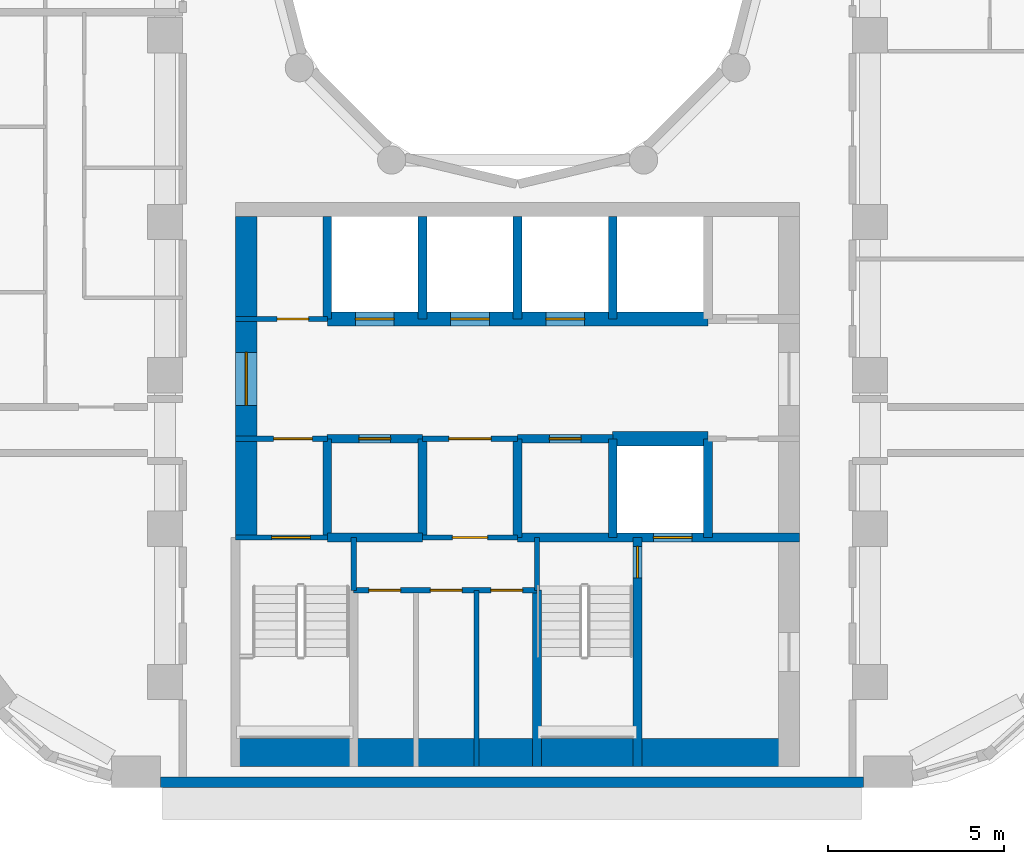
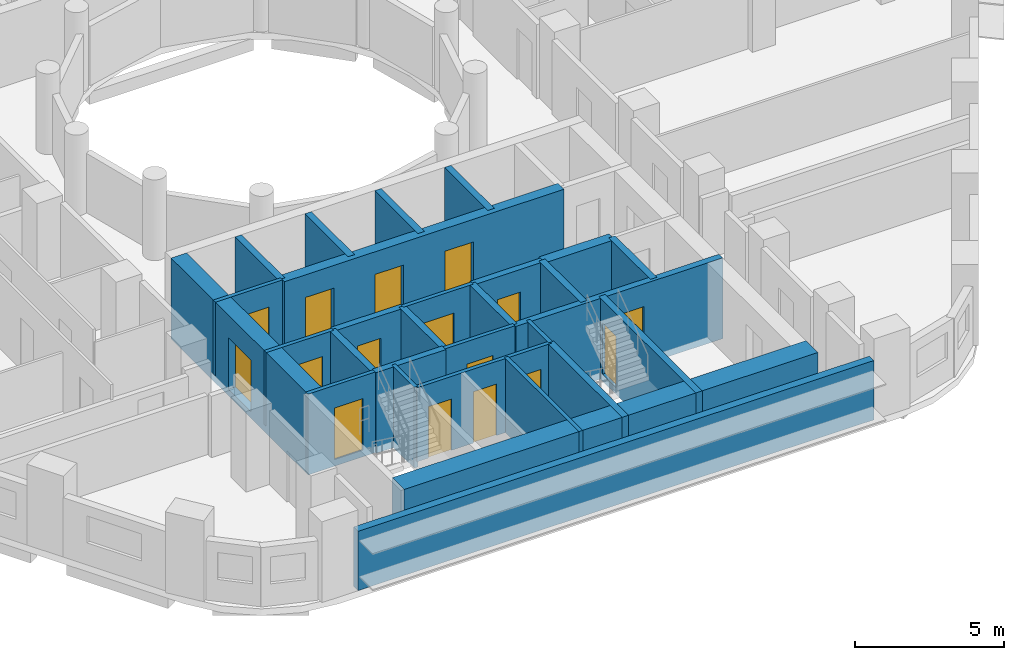
# One storey, part 3 of 12: 29 walls, 16 doors, 16 openings.
"""IFC4 building model written with IfcOpenShell, lengths in metres."""

from ifc_helpers import new_model, si_unit, direction, frame, frame_2d, origin, place, context, subcontext, project, spatial, rectangle, extrude, material, layer, layer_set, type_object, element, fill, save


model = new_model("IFC4")

# Units and contexts
model_context = context("Model", 3, precision=1e-05, world=origin(), true_north=direction((0.0, 1.0)))
body_context = subcontext(model_context, "Body", "Model", "MODEL_VIEW")
ifc_project = project(units=[si_unit("LENGTHUNIT", "METRE"), si_unit("AREAUNIT", "SQUARE_METRE"), si_unit("VOLUMEUNIT", "CUBIC_METRE"), si_unit("PLANEANGLEUNIT", "RADIAN"), si_unit("MASSUNIT", "GRAM", prefix="KILO")], contexts=[model_context])

# Site, building, storey
site_placement = place(None, origin())
site = spatial("IfcSite", under=ifc_project, at=site_placement, CompositionType="ELEMENT")
building_placement = place(site_placement, origin())
building = spatial("IfcBuilding", under=site, at=building_placement, Name="Nakaniwa Court", CompositionType="ELEMENT")
storey_placement = place(building_placement, frame((0.0, 0.0, 104.10009765625)))
storey = spatial("IfcBuildingStorey", under=building, at=storey_placement, Name="L27", CompositionType="ELEMENT", Elevation=104.10009765625)

# Wall
ifc_material_1 = material(Name="Charcoal ceramic cladding")
ifc_layer_1 = layer(ifc_material_1, 0.02, Name="Ceramic cladding")
ifc_material_2 = material(Name="Ventilated air cavity")
ifc_layer_2 = layer(ifc_material_2, 0.04, ventilated=True, Name="Ventilated cavity")
ifc_material_3 = material(Name="Mineral wool insulation")
ifc_layer_3 = layer(ifc_material_3, 0.1, Name="Insulation")
ifc_material_4 = material(Name="Cement bonded sheathing board")
ifc_layer_4 = layer(ifc_material_4, 0.012, Name="Sheathing")
ifc_material_5 = material(Name="Cold-formed galvanised stud frame with mineral wool infill")
ifc_layer_5 = layer(ifc_material_5, 0.1, Name="Stud frame")
ifc_material_6 = material(Name="Fire-rated gypsum plasterboard lining")
ifc_layer_6 = layer(ifc_material_6, 0.028, Name="Lining")
ifc_layer_set_1 = layer_set([ifc_layer_1, ifc_layer_2, ifc_layer_3, ifc_layer_4, ifc_layer_5, ifc_layer_6], Name="Charcoal ceramic faced external wall system")
wall_type_1 = type_object("IfcWallType", Name="Black ceramic faced external wall 300", PredefinedType="SOLIDWALL", material=ifc_layer_set_1)
wall_1_placement = place(storey_placement, frame((69.871337890625, 56.14990234375, 0.0), z_axis=(0.0, 0.0, 1.0), x_axis=(1.0, 0.0, 0.0)))
element("IfcWall", 1, at=wall_1_placement, inside=storey, type_object=wall_type_1, Name="L27 external wall 26", PredefinedType="SOLIDWALL", context=body_context, shape_type="SweptSolid", body=[
    extrude(rectangle(XDim=19.939697265625, YDim=0.300048828125, at=frame_2d((9.9697265625, 0.0))), origin(), (0.0, 0.0, 1.0), 2.4248046875),
])

# Wall, opening, door
ifc_material_7 = material(Name="Blockwork partition", Category="masonry")
ifc_layer_7 = layer(ifc_material_7, 0.14990234375)
ifc_layer_set_2 = layer_set([ifc_layer_7], Name="Blockwork partition")
wall_type_2 = type_object("IfcWallType", Name="Blockwork partition 150", PredefinedType="PARTITIONING", material=ifc_layer_set_2)
wall_2_placement = place(storey_placement, frame((72.0, 69.300048828125, 0.0), z_axis=(0.0, 0.0, 1.0), x_axis=(1.0, 0.0, 0.0)))
wall_2 = element("IfcWall", 2, at=wall_2_placement, inside=storey, type_object=wall_type_2, Name="Partition PW-037", PredefinedType="PARTITIONING", context=body_context, shape_type="SweptSolid", body=[
    extrude(rectangle(XDim=2.60009765625, YDim=0.14990234375, at=frame_2d((1.300048828125, 0.0))), origin(), (0.0, 0.0, 1.0), 3.02490234375),
])
opening_1_placement = place(wall_2_placement, frame((1.175048828125, 0.0, 0.0)))
opening_1 = element("IfcOpeningElement", 3, at=opening_1_placement, cuts=wall_2, Name="Opening D-05-09", PredefinedType="OPENING", context=body_context, shape_type="SweptSolid", body=[
    extrude(rectangle(XDim=0.89990234375, YDim=2.10009765625, at=frame_2d((0.449951171875, 1.050048828125))), frame((0.0, 0.0849609375, 0.0), z_axis=(0.0, -1.0, 0.0), x_axis=(1.0, 0.0, 0.0)), (0.0, 0.0, 1.0), 0.169921875),
])
ifc_material_8 = material(Name="Fire rated steel door set", Category="steel")
door_type_1 = type_object("IfcDoorType", Name="Service room door 900", OperationType="NOTDEFINED", PredefinedType="DOOR", material=ifc_material_8)
door_1_placement = place(opening_1_placement, origin())
door_1 = element("IfcDoor", 4, at=door_1_placement, inside=storey, type_object=door_type_1, Name="Door D-05-09 L27-014", OperationType="SINGLE_SWING_LEFT", OverallHeight=2.10009765625, OverallWidth=0.89990234375, PredefinedType="DOOR", context=body_context, shape_type="SweptSolid", body=[
    extrude(rectangle(XDim=0.89990234375, YDim=2.10009765625, at=frame_2d((0.449951171875, 1.050048828125))), frame((0.0, 0.02490234375, 0.0), z_axis=(0.0, -1.0, 0.0), x_axis=(1.0, 0.0, 0.0)), (0.0, 0.0, 1.0), 0.050048828125),
])
fill(opening_1, door_1)

wall_3_placement = place(storey_placement, frame((74.60302734375, 65.89990234375, 0.0), z_axis=(0.0, 0.0, 1.0), x_axis=(-1.0, 0.0, 0.0)))
wall_3 = element("IfcWall", 5, at=wall_3_placement, inside=storey, type_object=wall_type_2, Name="Partition PW-050", PredefinedType="PARTITIONING", context=body_context, shape_type="SweptSolid", body=[
    extrude(rectangle(XDim=2.60302734375, YDim=0.14990234375, at=frame_2d((1.301513671875, 0.0))), origin(), (0.0, 0.0, 1.0), 3.02490234375),
])
opening_2_placement = place(wall_3_placement, frame((0.427978515625, 0.0, 0.0)))
opening_2 = element("IfcOpeningElement", 6, at=opening_2_placement, cuts=wall_3, Name="Opening D-08-02", PredefinedType="OPENING", context=body_context, shape_type="SweptSolid", body=[
    extrude(rectangle(XDim=1.10009765625, YDim=2.10009765625, at=frame_2d((0.550048828125, 1.050048828125))), frame((0.0, 0.0849609375, 0.0), z_axis=(0.0, -1.0, 0.0), x_axis=(1.0, 0.0, 0.0)), (0.0, 0.0, 1.0), 0.169921875),
])
door_type_2 = type_object("IfcDoorType", Name="Stair lobby door 1100", OperationType="NOTDEFINED", PredefinedType="DOOR", material=ifc_material_8)
door_2_placement = place(opening_2_placement, origin())
door_2 = element("IfcDoor", 7, at=door_2_placement, inside=storey, type_object=door_type_2, Name="Door D-08-02 L27-016", OperationType="SINGLE_SWING_LEFT", OverallHeight=2.10009765625, OverallWidth=1.10009765625, PredefinedType="DOOR", context=body_context, shape_type="SweptSolid", body=[
    extrude(rectangle(XDim=1.10009765625, YDim=2.10009765625, at=frame_2d((0.550048828125, 1.050048828125))), frame((0.0, 0.02490234375, 0.0), z_axis=(0.0, -1.0, 0.0), x_axis=(1.0, 0.0, 0.0)), (0.0, 0.0, 1.0), 0.050048828125),
])
fill(opening_2, door_2)

wall_4_placement = place(storey_placement, frame((80.0029296875, 65.89990234375, 0.0), z_axis=(0.0, 0.0, 1.0), x_axis=(-1.0, 0.0, 0.0)))
wall_4 = element("IfcWall", 8, at=wall_4_placement, inside=storey, type_object=wall_type_2, Name="Partition PW-051", PredefinedType="PARTITIONING", context=body_context, shape_type="SweptSolid", body=[
    extrude(rectangle(XDim=2.705810546875, YDim=0.14990234375, at=frame_2d((1.35302734375, 0.0))), origin(), (0.0, 0.0, 1.0), 3.02490234375),
])
opening_3_placement = place(wall_4_placement, frame((0.7529296875, 0.0, 0.0)))
opening_3 = element("IfcOpeningElement", 9, at=opening_3_placement, cuts=wall_4, Name="Opening D-06-02", PredefinedType="OPENING", context=body_context, shape_type="SweptSolid", body=[
    extrude(rectangle(XDim=1.199951171875, YDim=2.10009765625, at=frame_2d((0.60009765625, 1.050048828125))), frame((0.0, 0.0849609375, 0.0), z_axis=(0.0, -1.0, 0.0), x_axis=(1.0, 0.0, 0.0)), (0.0, 0.0, 1.0), 0.169921875),
])
ifc_material_9 = material(Name="Fire rated steel double door set", Category="steel")
door_type_3 = type_object("IfcDoorType", Name="Service passage double door 1200", OperationType="NOTDEFINED", PredefinedType="DOOR", material=ifc_material_9)
door_3_placement = place(opening_3_placement, origin())
door_3 = element("IfcDoor", 10, at=door_3_placement, inside=storey, type_object=door_type_3, Name="Door D-06-02 L27-018", OperationType="DOUBLE_DOOR_SINGLE_SWING", OverallHeight=2.10009765625, OverallWidth=1.199951171875, PredefinedType="DOOR", context=body_context, shape_type="SweptSolid", body=[
    extrude(rectangle(XDim=1.199951171875, YDim=2.10009765625, at=frame_2d((0.60009765625, 1.050048828125))), frame((0.0, 0.02490234375, 0.0), z_axis=(0.0, -1.0, 0.0), x_axis=(1.0, 0.0, 0.0)), (0.0, 0.0, 1.0), 0.050048828125),
])
fill(opening_3, door_3)

wall_5_placement = place(storey_placement, frame((80.0, 63.10009765625, 0.0), z_axis=(0.0, 0.0, 1.0), x_axis=(-1.0, 0.0, 0.0)))
wall_5 = element("IfcWall", 11, at=wall_5_placement, inside=storey, type_object=wall_type_2, Name="Partition PW-059", PredefinedType="PARTITIONING", context=body_context, shape_type="SweptSolid", body=[
    extrude(rectangle(XDim=2.699951171875, YDim=0.14990234375, at=frame_2d((1.35009765625, 0.0))), origin(), (0.0, 0.0, 1.0), 3.02490234375),
])
opening_4_placement = place(wall_5_placement, frame((0.85009765625, 0.0, 0.0)))
opening_4 = element("IfcOpeningElement", 12, at=opening_4_placement, cuts=wall_5, Name="Opening D-23-02", PredefinedType="OPENING", context=body_context, shape_type="SweptSolid", body=[
    extrude(rectangle(XDim=1.0, YDim=2.10009765625, at=frame_2d((0.5, 1.050048828125))), frame((0.0, 0.0849609375, 0.0), z_axis=(0.0, -1.0, 0.0), x_axis=(1.0, 0.0, 0.0)), (0.0, 0.0, 1.0), 0.169921875),
])
door_type_4 = type_object("IfcDoorType", Name="Service room door 1000", OperationType="NOTDEFINED", PredefinedType="DOOR", material=ifc_material_8)
door_4_placement = place(opening_4_placement, origin())
door_4 = element("IfcDoor", 13, at=door_4_placement, inside=storey, type_object=door_type_4, Name="Door D-23-02 L27-021", OperationType="SINGLE_SWING_RIGHT", OverallHeight=2.10009765625, OverallWidth=1.0, PredefinedType="DOOR", context=body_context, shape_type="SweptSolid", body=[
    extrude(rectangle(XDim=1.0, YDim=2.10009765625, at=frame_2d((0.5, 1.050048828125))), frame((0.0, 0.02490234375, 0.0), z_axis=(0.0, -1.0, 0.0), x_axis=(1.0, 0.0, 0.0)), (0.0, 0.0, 1.0), 0.050048828125),
])
fill(opening_4, door_4)

# Wall, openings, doors
wall_6_placement = place(storey_placement, frame((80.550048828125, 61.60009765625, 0.0), z_axis=(0.0, 0.0, 1.0), x_axis=(-1.0, 0.0, 0.0)))
wall_6 = element("IfcWall", 14, at=wall_6_placement, inside=storey, type_object=wall_type_2, Name="Partition PW-066", PredefinedType="PARTITIONING", context=body_context, shape_type="SweptSolid", body=[
    extrude(rectangle(XDim=5.199951171875, YDim=0.14990234375, at=frame_2d((2.60009765625, 0.0))), origin(), (0.0, 0.0, 1.0), 3.02490234375),
])
opening_5_placement = place(wall_6_placement, frame((3.865966796875, 0.0, 0.0)))
opening_5 = element("IfcOpeningElement", 15, at=opening_5_placement, cuts=wall_6, Name="Opening D-05-14", PredefinedType="OPENING", context=body_context, shape_type="SweptSolid", body=[
    extrude(rectangle(XDim=0.89990234375, YDim=2.10009765625, at=frame_2d((0.449951171875, 1.050048828125))), frame((0.0, 0.0849609375, 0.0), z_axis=(0.0, -1.0, 0.0), x_axis=(1.0, 0.0, 0.0)), (0.0, 0.0, 1.0), 0.169921875),
])
opening_6_placement = place(wall_6_placement, frame((2.1240234375, 0.0, 0.0)))
opening_6 = element("IfcOpeningElement", 16, at=opening_6_placement, cuts=wall_6, Name="Opening D-05-15", PredefinedType="OPENING", context=body_context, shape_type="SweptSolid", body=[
    extrude(rectangle(XDim=0.89990234375, YDim=2.10009765625, at=frame_2d((0.449951171875, 1.050048828125))), frame((0.0, 0.0849609375, 0.0), z_axis=(0.0, -1.0, 0.0), x_axis=(1.0, 0.0, 0.0)), (0.0, 0.0, 1.0), 0.169921875),
])
opening_7_placement = place(wall_6_placement, frame((0.407958984375, 0.0, 0.0)))
opening_7 = element("IfcOpeningElement", 17, at=opening_7_placement, cuts=wall_6, Name="Opening D-05-16", PredefinedType="OPENING", context=body_context, shape_type="SweptSolid", body=[
    extrude(rectangle(XDim=0.89990234375, YDim=2.10009765625, at=frame_2d((0.449951171875, 1.050048828125))), frame((0.0, 0.0849609375, 0.0), z_axis=(0.0, -1.0, 0.0), x_axis=(1.0, 0.0, 0.0)), (0.0, 0.0, 1.0), 0.169921875),
])
door_5_placement = place(opening_5_placement, origin())
door_5 = element("IfcDoor", 18, at=door_5_placement, inside=storey, type_object=door_type_1, Name="Door D-05-14 L27-022", OperationType="SINGLE_SWING_LEFT", OverallHeight=2.10009765625, OverallWidth=0.89990234375, PredefinedType="DOOR", context=body_context, shape_type="SweptSolid", body=[
    extrude(rectangle(XDim=0.89990234375, YDim=2.10009765625, at=frame_2d((0.449951171875, 1.050048828125))), frame((0.0, 0.02490234375, 0.0), z_axis=(0.0, -1.0, 0.0), x_axis=(1.0, 0.0, 0.0)), (0.0, 0.0, 1.0), 0.050048828125),
])
fill(opening_5, door_5)
door_6_placement = place(opening_6_placement, origin())
door_6 = element("IfcDoor", 19, at=door_6_placement, inside=storey, type_object=door_type_1, Name="Door D-05-15 L27-023", OperationType="SINGLE_SWING_RIGHT", OverallHeight=2.10009765625, OverallWidth=0.89990234375, PredefinedType="DOOR", context=body_context, shape_type="SweptSolid", body=[
    extrude(rectangle(XDim=0.89990234375, YDim=2.10009765625, at=frame_2d((0.449951171875, 1.050048828125))), frame((0.0, 0.02490234375, 0.0), z_axis=(0.0, -1.0, 0.0), x_axis=(1.0, 0.0, 0.0)), (0.0, 0.0, 1.0), 0.050048828125),
])
fill(opening_6, door_6)
door_7_placement = place(opening_7_placement, origin())
door_7 = element("IfcDoor", 20, at=door_7_placement, inside=storey, type_object=door_type_1, Name="Door D-05-16 L27-024", OperationType="SINGLE_SWING_LEFT", OverallHeight=2.10009765625, OverallWidth=0.89990234375, PredefinedType="DOOR", context=body_context, shape_type="SweptSolid", body=[
    extrude(rectangle(XDim=0.89990234375, YDim=2.10009765625, at=frame_2d((0.449951171875, 1.050048828125))), frame((0.0, 0.02490234375, 0.0), z_axis=(0.0, -1.0, 0.0), x_axis=(1.0, 0.0, 0.0)), (0.0, 0.0, 1.0), 0.050048828125),
])
fill(opening_7, door_7)

# Wall
wall_7_placement = place(storey_placement, frame((78.833984375, 56.60009765625, 0.0), z_axis=(0.0, 0.0, 1.0), x_axis=(0.0, 1.0, 0.0)))
element("IfcWall", 21, at=wall_7_placement, inside=storey, type_object=wall_type_2, Name="Partition PW-068", PredefinedType="PARTITIONING", context=body_context, shape_type="SweptSolid", body=[
    extrude(rectangle(XDim=5.0, YDim=0.14990234375, at=frame_2d((2.5, 0.0))), origin(), (0.0, 0.0, 1.0), 3.02490234375),
])

# Wall, opening, door
ifc_material_10 = material(Name="Concrete C80/100", Category="concrete")
ifc_layer_8 = layer(ifc_material_10, 0.60009765625)
ifc_layer_set_3 = layer_set([ifc_layer_8], Name="Concrete C80/100")
wall_type_3 = type_object("IfcWallType", Name="Concrete core side wall 600 C80", PredefinedType="SHEAR", material=ifc_layer_set_3)
wall_8_placement = place(storey_placement, frame((72.300048828125, 63.10009765625, -0.275146484375), z_axis=(0.0, 0.0, 1.0), x_axis=(0.0, 1.0, 0.0)))
wall_8 = element("IfcWall", 22, at=wall_8_placement, inside=storey, type_object=wall_type_3, Name="Core wall SW-38", PredefinedType="SHEAR", context=body_context, shape_type="SweptSolid", body=[
    extrude(rectangle(XDim=9.099853515625, YDim=0.60009765625, at=frame_2d((4.5498046875, 0.0))), origin(), (0.0, 0.0, 1.0), 3.300048828125),
])
opening_8_placement = place(wall_8_placement, frame((3.75, 0.0, 0.27490234375)))
opening_8 = element("IfcOpeningElement", 23, at=opening_8_placement, cuts=wall_8, Name="Opening D-07-04", PredefinedType="OPENING", context=body_context, shape_type="SweptSolid", body=[
    extrude(rectangle(XDim=1.5, YDim=2.10009765625, at=frame_2d((0.75, 1.050048828125))), frame((0.0, 0.31005859375, 0.0), z_axis=(0.0, -1.0, 0.0), x_axis=(1.0, 0.0, 0.0)), (0.0, 0.0, 1.0), 0.6201171875),
])
ifc_material_11 = material(Name="Glazed fire rated steel double door set", Category="steel")
door_type_5 = type_object("IfcDoorType", Name="Lobby double door 1500", OperationType="NOTDEFINED", PredefinedType="DOOR", material=ifc_material_11)
door_8_placement = place(opening_8_placement, origin())
door_8 = element("IfcDoor", 24, at=door_8_placement, inside=storey, type_object=door_type_5, Name="Door D-07-04 L27-055", OperationType="DOUBLE_DOOR_SINGLE_SWING", OverallHeight=2.10009765625, OverallWidth=1.5, PredefinedType="DOOR", context=body_context, shape_type="SweptSolid", body=[
    extrude(rectangle(XDim=1.5, YDim=2.10009765625, at=frame_2d((0.75, 1.050048828125))), frame((0.0, 0.02490234375, 0.0), z_axis=(0.0, -1.0, 0.0), x_axis=(1.0, 0.0, 0.0)), (0.0, 0.0, 1.0), 0.050048828125),
])
fill(opening_8, door_8)

# Wall, openings, doors
ifc_layer_9 = layer(ifc_material_10, 0.39990234375)
ifc_layer_set_4 = layer_set([ifc_layer_9], Name="Concrete C80/100")
wall_type_4 = type_object("IfcWallType", Name="Concrete core spine wall 400 C80", PredefinedType="SHEAR", material=ifc_layer_set_4)
wall_9_placement = place(storey_placement, frame((74.60009765625, 69.300048828125, -0.275146484375), z_axis=(0.0, 0.0, 1.0), x_axis=(1.0, 0.0, 0.0)))
wall_9 = element("IfcWall", 25, at=wall_9_placement, inside=storey, type_object=wall_type_4, Name="Core wall SW-41", PredefinedType="SHEAR", context=body_context, shape_type="SweptSolid", body=[
    extrude(rectangle(XDim=10.7998046875, YDim=0.39990234375, at=frame_2d((5.39990234375, 0.0))), origin(), (0.0, 0.0, 1.0), 3.300048828125),
])
opening_9_placement = place(wall_9_placement, frame((0.800048828125, 0.0, 0.27490234375)))
opening_9 = element("IfcOpeningElement", 26, at=opening_9_placement, cuts=wall_9, Name="Opening LD05", PredefinedType="OPENING", context=body_context, shape_type="SweptSolid", body=[
    extrude(rectangle(XDim=1.10009765625, YDim=2.10009765625, at=frame_2d((0.550048828125, 1.050048828125))), frame((0.0, 0.2099609375, 0.0), z_axis=(0.0, -1.0, 0.0), x_axis=(1.0, 0.0, 0.0)), (0.0, 0.0, 1.0), 0.419921875),
])
opening_10_placement = place(wall_9_placement, frame((3.5, 0.0, 0.27490234375)))
opening_10 = element("IfcOpeningElement", 27, at=opening_10_placement, cuts=wall_9, Name="Opening LD06", PredefinedType="OPENING", context=body_context, shape_type="SweptSolid", body=[
    extrude(rectangle(XDim=1.10009765625, YDim=2.10009765625, at=frame_2d((0.550048828125, 1.050048828125))), frame((0.0, 0.2099609375, 0.0), z_axis=(0.0, -1.0, 0.0), x_axis=(1.0, 0.0, 0.0)), (0.0, 0.0, 1.0), 0.419921875),
])
opening_11_placement = place(wall_9_placement, frame((6.199951171875, 0.0, 0.27490234375)))
opening_11 = element("IfcOpeningElement", 28, at=opening_11_placement, cuts=wall_9, Name="Opening LD07", PredefinedType="OPENING", context=body_context, shape_type="SweptSolid", body=[
    extrude(rectangle(XDim=1.10009765625, YDim=2.10009765625, at=frame_2d((0.550048828125, 1.050048828125))), frame((0.0, 0.2099609375, 0.0), z_axis=(0.0, -1.0, 0.0), x_axis=(1.0, 0.0, 0.0)), (0.0, 0.0, 1.0), 0.419921875),
])
ifc_material_12 = material(Name="Stainless steel sliding lift landing door", Category="steel")
door_type_6 = type_object("IfcDoorType", Name="Lift landing door 1100", OperationType="NOTDEFINED", PredefinedType="DOOR", material=ifc_material_12)
door_9_placement = place(opening_9_placement, origin())
door_9 = element("IfcDoor", 29, at=door_9_placement, inside=storey, type_object=door_type_6, Name="Lift landing door LD05 L27-005", OperationType="SLIDING_TO_LEFT", OverallHeight=2.10009765625, OverallWidth=1.10009765625, PredefinedType="DOOR", context=body_context, shape_type="SweptSolid", body=[
    extrude(rectangle(XDim=1.10009765625, YDim=2.10009765625, at=frame_2d((0.550048828125, 1.050048828125))), frame((0.0, 0.02490234375, 0.0), z_axis=(0.0, -1.0, 0.0), x_axis=(1.0, 0.0, 0.0)), (0.0, 0.0, 1.0), 0.050048828125),
])
fill(opening_9, door_9)
door_10_placement = place(opening_10_placement, origin())
door_10 = element("IfcDoor", 30, at=door_10_placement, inside=storey, type_object=door_type_6, Name="Lift landing door LD06 L27-006", OperationType="SLIDING_TO_LEFT", OverallHeight=2.10009765625, OverallWidth=1.10009765625, PredefinedType="DOOR", context=body_context, shape_type="SweptSolid", body=[
    extrude(rectangle(XDim=1.10009765625, YDim=2.10009765625, at=frame_2d((0.550048828125, 1.050048828125))), frame((0.0, 0.02490234375, 0.0), z_axis=(0.0, -1.0, 0.0), x_axis=(1.0, 0.0, 0.0)), (0.0, 0.0, 1.0), 0.050048828125),
])
fill(opening_10, door_10)
door_11_placement = place(opening_11_placement, origin())
door_11 = element("IfcDoor", 31, at=door_11_placement, inside=storey, type_object=door_type_6, Name="Lift landing door LD07 L27-007", OperationType="SLIDING_TO_LEFT", OverallHeight=2.10009765625, OverallWidth=1.10009765625, PredefinedType="DOOR", context=body_context, shape_type="SweptSolid", body=[
    extrude(rectangle(XDim=1.10009765625, YDim=2.10009765625, at=frame_2d((0.550048828125, 1.050048828125))), frame((0.0, 0.02490234375, 0.0), z_axis=(0.0, -1.0, 0.0), x_axis=(1.0, 0.0, 0.0)), (0.0, 0.0, 1.0), 0.050048828125),
])
fill(opening_11, door_11)

# Wall
wall_10_placement = place(storey_placement, frame((82.697021484375, 65.89990234375, -0.275146484375), z_axis=(0.0, 0.0, 1.0), x_axis=(1.0, 0.0, 0.0)))
element("IfcWall", 32, at=wall_10_placement, inside=storey, type_object=wall_type_4, Name="Core wall SW-55", PredefinedType="SHEAR", context=body_context, shape_type="SweptSolid", body=[
    extrude(rectangle(XDim=2.7060546875, YDim=0.39990234375, at=frame_2d((1.35302734375, 0.0))), origin(), (0.0, 0.0, 1.0), 3.300048828125),
])

# Wall, opening, door
ifc_layer_10 = layer(ifc_material_10, 0.14990234375)
ifc_layer_set_5 = layer_set([ifc_layer_10], Name="Concrete C80/100")
wall_type_5 = type_object("IfcWallType", Name="Concrete core wall 150 C80", PredefinedType="SHEAR", material=ifc_layer_set_5)
wall_11_placement = place(storey_placement, frame((72.0, 63.10009765625, -0.275146484375), z_axis=(0.0, 0.0, 1.0), x_axis=(1.0, 0.0, 0.0)))
wall_11 = element("IfcWall", 33, at=wall_11_placement, inside=storey, type_object=wall_type_5, Name="Core wall SW-56", PredefinedType="SHEAR", context=body_context, shape_type="SweptSolid", body=[
    extrude(rectangle(XDim=2.60009765625, YDim=0.14990234375, at=frame_2d((1.300048828125, 0.0))), origin(), (0.0, 0.0, 1.0), 3.300048828125),
])
opening_12_placement = place(wall_11_placement, frame((1.02001953125, 0.0, 0.27490234375)))
opening_12 = element("IfcOpeningElement", 34, at=opening_12_placement, cuts=wall_11, Name="Opening D-09-02", PredefinedType="OPENING", context=body_context, shape_type="SweptSolid", body=[
    extrude(rectangle(XDim=1.10009765625, YDim=2.10009765625, at=frame_2d((0.550048828125, 1.050048828125))), frame((0.0, 0.0849609375, 0.0), z_axis=(0.0, -1.0, 0.0), x_axis=(1.0, 0.0, 0.0)), (0.0, 0.0, 1.0), 0.169921875),
])
door_type_7 = type_object("IfcDoorType", Name="Stair door 1100", OperationType="NOTDEFINED", PredefinedType="DOOR", material=ifc_material_8)
door_12_placement = place(opening_12_placement, origin())
door_12 = element("IfcDoor", 35, at=door_12_placement, inside=storey, type_object=door_type_7, Name="Door D-09-02 L27-025", OperationType="SINGLE_SWING_LEFT", OverallHeight=2.10009765625, OverallWidth=1.10009765625, PredefinedType="DOOR", context=body_context, shape_type="SweptSolid", body=[
    extrude(rectangle(XDim=1.10009765625, YDim=2.10009765625, at=frame_2d((0.550048828125, 1.050048828125))), frame((0.0, 0.02490234375, 0.0), z_axis=(0.0, -1.0, 0.0), x_axis=(1.0, 0.0, 0.0)), (0.0, 0.0, 1.0), 0.050048828125),
])
fill(opening_12, door_12)

# Walls
for number, where, z_axis, x_axis, name in (
    (36, (75.35009765625, 61.596923828125, -0.275146484375), (0.0, 0.0, 1.0), (0.0, 1.0, 0.0), "Core wall SW-60"),
    (37, (80.550048828125, 61.596923828125, -0.275146484375), (0.0, 0.0, 1.0), (0.0, 1.0, 0.0), "Core wall SW-64"),
):
    element("IfcWall", number, at=place(storey_placement, frame(where, z_axis=z_axis, x_axis=x_axis)), inside=storey, type_object=wall_type_5, Name=name, PredefinedType="SHEAR", context=body_context, shape_type="SweptSolid", body=[
        extrude(rectangle(XDim=1.503173828125, YDim=0.14990234375, at=frame_2d((0.75146484375, 0.0))), origin(), (0.0, 0.0, 1.0), 3.300048828125),
    ])
ifc_layer_11 = layer(ifc_material_10, 0.800048828125)
ifc_layer_set_6 = layer_set([ifc_layer_11], Name="Concrete C80/100")
wall_type_6 = type_object("IfcWallType", Name="Concrete core wall 800 C80", PredefinedType="SHEAR", material=ifc_layer_set_6)
wall_12_placement = place(storey_placement, frame((72.00390625, 57.0, -0.275146484375), z_axis=(0.0, 0.0, 1.0), x_axis=(1.0, 0.0, 0.0)))
element("IfcWall", 38, at=wall_12_placement, inside=storey, type_object=wall_type_6, Name="Core wall SW-132", PredefinedType="SHEAR", context=body_context, shape_type="SweptSolid", body=[
    extrude(rectangle(XDim=15.9921875, YDim=0.800048828125, at=frame_2d((7.99609375, 0.0))), origin(), (0.0, 0.0, 1.0), 3.300048828125),
])
ifc_layer_12 = layer(ifc_material_10, 0.25)
ifc_layer_set_7 = layer_set([ifc_layer_12], Name="Concrete C80/100")
wall_type_7 = type_object("IfcWallType", Name="Concrete shaft wall 250 C80", PredefinedType="SHEAR", material=ifc_layer_set_7)
wall_13_placement = place(storey_placement, frame((74.60009765625, 63.10009765625, -0.275146484375), z_axis=(0.0, 0.0, 1.0), x_axis=(0.0, 1.0, 0.0)))
element("IfcWall", 39, at=wall_13_placement, inside=storey, type_object=wall_type_7, Name="Core wall SW-35", PredefinedType="SHEAR", context=body_context, shape_type="SweptSolid", body=[
    extrude(rectangle(XDim=2.7998046875, YDim=0.25, at=frame_2d((1.39990234375, 0.0))), origin(), (0.0, 0.0, 1.0), 3.300048828125),
])
wall_14_placement = place(storey_placement, frame((74.60009765625, 69.300048828125, -0.275146484375), z_axis=(0.0, 0.0, 1.0), x_axis=(0.0, 1.0, 0.0)))
element("IfcWall", 40, at=wall_14_placement, inside=storey, type_object=wall_type_7, Name="Core wall SW-36", PredefinedType="SHEAR", context=body_context, shape_type="SweptSolid", body=[
    extrude(rectangle(XDim=2.89990234375, YDim=0.25, at=frame_2d((1.449951171875, 0.0))), origin(), (0.0, 0.0, 1.0), 3.300048828125),
])
wall_15_placement = place(storey_placement, frame((77.300048828125, 63.10009765625, -0.275146484375), z_axis=(0.0, 0.0, 1.0), x_axis=(0.0, 1.0, 0.0)))
element("IfcWall", 41, at=wall_15_placement, inside=storey, type_object=wall_type_7, Name="Core wall SW-39", PredefinedType="SHEAR", context=body_context, shape_type="SweptSolid", body=[
    extrude(rectangle(XDim=2.7998046875, YDim=0.25, at=frame_2d((1.39990234375, 0.0))), origin(), (0.0, 0.0, 1.0), 3.300048828125),
])
wall_16_placement = place(storey_placement, frame((77.300048828125, 69.300048828125, -0.275146484375), z_axis=(0.0, 0.0, 1.0), x_axis=(0.0, 1.0, 0.0)))
element("IfcWall", 42, at=wall_16_placement, inside=storey, type_object=wall_type_7, Name="Core wall SW-40", PredefinedType="SHEAR", context=body_context, shape_type="SweptSolid", body=[
    extrude(rectangle(XDim=2.89990234375, YDim=0.25, at=frame_2d((1.449951171875, 0.0))), origin(), (0.0, 0.0, 1.0), 3.300048828125),
])
wall_17_placement = place(storey_placement, frame((80.0, 63.10009765625, -0.275146484375), z_axis=(0.0, 0.0, 1.0), x_axis=(0.0, 1.0, 0.0)))
element("IfcWall", 43, at=wall_17_placement, inside=storey, type_object=wall_type_7, Name="Core wall SW-42", PredefinedType="SHEAR", context=body_context, shape_type="SweptSolid", body=[
    extrude(rectangle(XDim=2.7998046875, YDim=0.25, at=frame_2d((1.39990234375, 0.0))), origin(), (0.0, 0.0, 1.0), 3.300048828125),
])
wall_18_placement = place(storey_placement, frame((80.0, 69.300048828125, -0.275146484375), z_axis=(0.0, 0.0, 1.0), x_axis=(0.0, 1.0, 0.0)))
element("IfcWall", 44, at=wall_18_placement, inside=storey, type_object=wall_type_7, Name="Core wall SW-43", PredefinedType="SHEAR", context=body_context, shape_type="SweptSolid", body=[
    extrude(rectangle(XDim=2.89990234375, YDim=0.25, at=frame_2d((1.449951171875, 0.0))), origin(), (0.0, 0.0, 1.0), 3.300048828125),
])
wall_19_placement = place(storey_placement, frame((82.699951171875, 63.10009765625, -0.275146484375), z_axis=(0.0, 0.0, 1.0), x_axis=(0.0, 1.0, 0.0)))
element("IfcWall", 45, at=wall_19_placement, inside=storey, type_object=wall_type_7, Name="Core wall SW-44", PredefinedType="SHEAR", context=body_context, shape_type="SweptSolid", body=[
    extrude(rectangle(XDim=2.7998046875, YDim=0.25, at=frame_2d((1.39990234375, 0.0))), origin(), (0.0, 0.0, 1.0), 3.300048828125),
])
wall_20_placement = place(storey_placement, frame((82.699951171875, 69.300048828125, -0.275146484375), z_axis=(0.0, 0.0, 1.0), x_axis=(0.0, 1.0, 0.0)))
element("IfcWall", 46, at=wall_20_placement, inside=storey, type_object=wall_type_7, Name="Core wall SW-45", PredefinedType="SHEAR", context=body_context, shape_type="SweptSolid", body=[
    extrude(rectangle(XDim=2.89990234375, YDim=0.25, at=frame_2d((1.449951171875, 0.0))), origin(), (0.0, 0.0, 1.0), 3.300048828125),
])
wall_21_placement = place(storey_placement, frame((85.39990234375, 63.10009765625, -0.275146484375), z_axis=(0.0, 0.0, 1.0), x_axis=(0.0, 1.0, 0.0)))
element("IfcWall", 47, at=wall_21_placement, inside=storey, type_object=wall_type_7, Name="Core wall SW-46", PredefinedType="SHEAR", context=body_context, shape_type="SweptSolid", body=[
    extrude(rectangle(XDim=2.7998046875, YDim=0.25, at=frame_2d((1.39990234375, 0.0))), origin(), (0.0, 0.0, 1.0), 3.300048828125),
])

# Wall, opening, door
wall_22_placement = place(storey_placement, frame((77.302978515625, 65.89990234375, -0.275146484375), z_axis=(0.0, 0.0, 1.0), x_axis=(-1.0, 0.0, 0.0)))
wall_22 = element("IfcWall", 48, at=wall_22_placement, inside=storey, type_object=wall_type_7, Name="Core wall SW-53", PredefinedType="SHEAR", context=body_context, shape_type="SweptSolid", body=[
    extrude(rectangle(XDim=2.7060546875, YDim=0.25, at=frame_2d((1.35302734375, 0.0))), origin(), (0.0, 0.0, 1.0), 3.300048828125),
])
opening_13_placement = place(wall_22_placement, frame((0.903076171875, 0.0, 0.27490234375)))
opening_13 = element("IfcOpeningElement", 49, at=opening_13_placement, cuts=wall_22, Name="Opening D-05-11", PredefinedType="OPENING", context=body_context, shape_type="SweptSolid", body=[
    extrude(rectangle(XDim=0.89990234375, YDim=2.10009765625, at=frame_2d((0.449951171875, 1.050048828125))), frame((0.0, 0.135009765625, 0.0), z_axis=(0.0, -1.0, 0.0), x_axis=(1.0, 0.0, 0.0)), (0.0, 0.0, 1.0), 0.27001953125),
])
door_13_placement = place(opening_13_placement, origin())
door_13 = element("IfcDoor", 50, at=door_13_placement, inside=storey, type_object=door_type_1, Name="Door D-05-11 L27-017", OperationType="SINGLE_SWING_RIGHT", OverallHeight=2.10009765625, OverallWidth=0.89990234375, PredefinedType="DOOR", context=body_context, shape_type="SweptSolid", body=[
    extrude(rectangle(XDim=0.89990234375, YDim=2.10009765625, at=frame_2d((0.449951171875, 1.050048828125))), frame((0.0, 0.02490234375, 0.0), z_axis=(0.0, -1.0, 0.0), x_axis=(1.0, 0.0, 0.0)), (0.0, 0.0, 1.0), 0.050048828125),
])
fill(opening_13, door_13)

wall_23_placement = place(storey_placement, frame((82.702880859375, 65.89990234375, -0.275146484375), z_axis=(0.0, 0.0, 1.0), x_axis=(-1.0, 0.0, 0.0)))
wall_23 = element("IfcWall", 51, at=wall_23_placement, inside=storey, type_object=wall_type_7, Name="Core wall SW-54", PredefinedType="SHEAR", context=body_context, shape_type="SweptSolid", body=[
    extrude(rectangle(XDim=2.705810546875, YDim=0.25, at=frame_2d((1.35302734375, 0.0))), origin(), (0.0, 0.0, 1.0), 3.300048828125),
])
opening_14_placement = place(wall_23_placement, frame((0.903076171875, 0.0, 0.27490234375)))
opening_14 = element("IfcOpeningElement", 52, at=opening_14_placement, cuts=wall_23, Name="Opening D-05-12", PredefinedType="OPENING", context=body_context, shape_type="SweptSolid", body=[
    extrude(rectangle(XDim=0.89990234375, YDim=2.10009765625, at=frame_2d((0.449951171875, 1.050048828125))), frame((0.0, 0.135009765625, 0.0), z_axis=(0.0, -1.0, 0.0), x_axis=(1.0, 0.0, 0.0)), (0.0, 0.0, 1.0), 0.27001953125),
])
door_14_placement = place(opening_14_placement, origin())
door_14 = element("IfcDoor", 53, at=door_14_placement, inside=storey, type_object=door_type_1, Name="Door D-05-12 L27-019", OperationType="SINGLE_SWING_RIGHT", OverallHeight=2.10009765625, OverallWidth=0.89990234375, PredefinedType="DOOR", context=body_context, shape_type="SweptSolid", body=[
    extrude(rectangle(XDim=0.89990234375, YDim=2.10009765625, at=frame_2d((0.449951171875, 1.050048828125))), frame((0.0, 0.02490234375, 0.0), z_axis=(0.0, -1.0, 0.0), x_axis=(1.0, 0.0, 0.0)), (0.0, 0.0, 1.0), 0.050048828125),
])
fill(opening_14, door_14)

# Wall
wall_24_placement = place(storey_placement, frame((74.60009765625, 63.10009765625, -0.275146484375), z_axis=(0.0, 0.0, 1.0), x_axis=(1.0, 0.0, 0.0)))
element("IfcWall", 54, at=wall_24_placement, inside=storey, type_object=wall_type_7, Name="Core wall SW-57", PredefinedType="SHEAR", context=body_context, shape_type="SweptSolid", body=[
    extrude(rectangle(XDim=2.699951171875, YDim=0.25, at=frame_2d((1.35009765625, 0.0))), origin(), (0.0, 0.0, 1.0), 3.300048828125),
])

# Wall, opening, door
wall_25_placement = place(storey_placement, frame((80.0, 63.10009765625, -0.275146484375), z_axis=(0.0, 0.0, 1.0), x_axis=(1.0, 0.0, 0.0)))
wall_25 = element("IfcWall", 55, at=wall_25_placement, inside=storey, type_object=wall_type_7, Name="Core wall SW-58", PredefinedType="SHEAR", context=body_context, shape_type="SweptSolid", body=[
    extrude(rectangle(XDim=8.0, YDim=0.25, at=frame_2d((4.0, 0.0))), origin(), (0.0, 0.0, 1.0), 3.300048828125),
])
opening_15_placement = place(wall_25_placement, frame((3.84912109375, 0.0, 0.27490234375)))
opening_15 = element("IfcOpeningElement", 56, at=opening_15_placement, cuts=wall_25, Name="Opening LD08", PredefinedType="OPENING", context=body_context, shape_type="SweptSolid", body=[
    extrude(rectangle(XDim=1.10009765625, YDim=2.10009765625, at=frame_2d((0.550048828125, 1.050048828125))), frame((0.0, 0.135009765625, 0.0), z_axis=(0.0, -1.0, 0.0), x_axis=(1.0, 0.0, 0.0)), (0.0, 0.0, 1.0), 0.27001953125),
])
door_15_placement = place(opening_15_placement, origin())
door_15 = element("IfcDoor", 57, at=door_15_placement, inside=storey, type_object=door_type_6, Name="Lift landing door LD08 L27-008", OperationType="SLIDING_TO_LEFT", OverallHeight=2.10009765625, OverallWidth=1.10009765625, PredefinedType="DOOR", context=body_context, shape_type="SweptSolid", body=[
    extrude(rectangle(XDim=1.10009765625, YDim=2.10009765625, at=frame_2d((0.550048828125, 1.050048828125))), frame((0.0, 0.02490234375, 0.0), z_axis=(0.0, -1.0, 0.0), x_axis=(1.0, 0.0, 0.0)), (0.0, 0.0, 1.0), 0.050048828125),
])
fill(opening_15, door_15)

wall_26_placement = place(storey_placement, frame((83.39990234375, 63.10009765625, -0.275146484375), z_axis=(0.0, 0.0, 1.0), x_axis=(0.0, -1.0, 0.0)))
wall_26 = element("IfcWall", 58, at=wall_26_placement, inside=storey, type_object=wall_type_7, Name="Core wall SW-63", PredefinedType="SHEAR", context=body_context, shape_type="SweptSolid", body=[
    extrude(rectangle(XDim=6.5, YDim=0.25, at=frame_2d((3.25, 0.0))), origin(), (0.0, 0.0, 1.0), 3.300048828125),
])
opening_16_placement = place(wall_26_placement, frame((0.25, 0.0, 0.27490234375)))
opening_16 = element("IfcOpeningElement", 59, at=opening_16_placement, cuts=wall_26, Name="Opening D-11-02", PredefinedType="OPENING", context=body_context, shape_type="SweptSolid", body=[
    extrude(rectangle(XDim=0.89990234375, YDim=2.10009765625, at=frame_2d((0.449951171875, 1.050048828125))), frame((0.0, 0.135009765625, 0.0), z_axis=(0.0, -1.0, 0.0), x_axis=(1.0, 0.0, 0.0)), (0.0, 0.0, 1.0), 0.27001953125),
])
door_type_8 = type_object("IfcDoorType", Name="Stair door 900", OperationType="NOTDEFINED", PredefinedType="DOOR", material=ifc_material_8)
door_16_placement = place(opening_16_placement, origin())
door_16 = element("IfcDoor", 60, at=door_16_placement, inside=storey, type_object=door_type_8, Name="Door D-11-02 L27-026", OperationType="SINGLE_SWING_RIGHT", OverallHeight=2.10009765625, OverallWidth=0.89990234375, PredefinedType="DOOR", context=body_context, shape_type="SweptSolid", body=[
    extrude(rectangle(XDim=0.89990234375, YDim=2.10009765625, at=frame_2d((0.449951171875, 1.050048828125))), frame((0.0, 0.02490234375, 0.0), z_axis=(0.0, -1.0, 0.0), x_axis=(1.0, 0.0, 0.0)), (0.0, 0.0, 1.0), 0.050048828125),
])
fill(opening_16, door_16)

# Wall
wall_27_placement = place(storey_placement, frame((80.550048828125, 56.60009765625, -0.275146484375), z_axis=(0.0, 0.0, 1.0), x_axis=(0.0, 1.0, 0.0)))
element("IfcWall", 61, at=wall_27_placement, inside=storey, type_object=wall_type_7, Name="Core wall SW-65", PredefinedType="SHEAR", context=body_context, shape_type="SweptSolid", body=[
    extrude(rectangle(XDim=5.0029296875, YDim=0.25, at=frame_2d((2.50146484375, 0.0))), origin(), (0.0, 0.0, 1.0), 3.300048828125),
])

save(model, "model.ifc")
